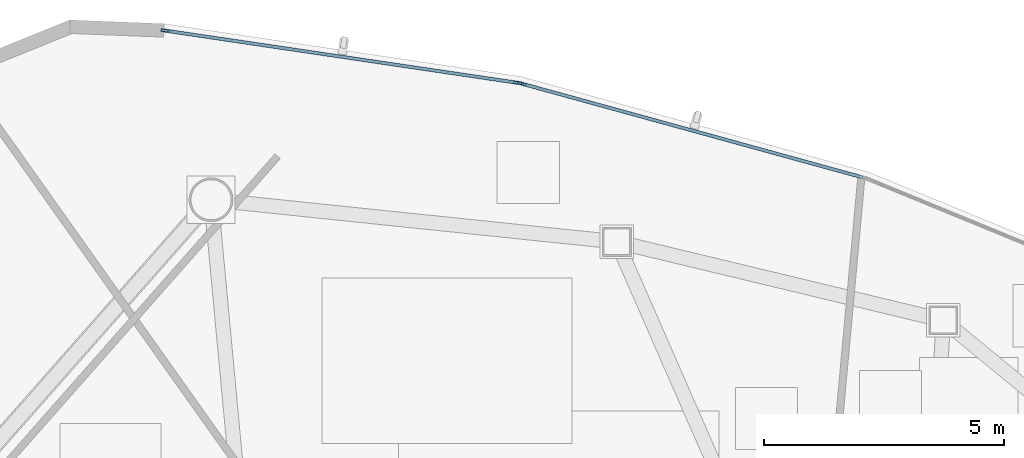
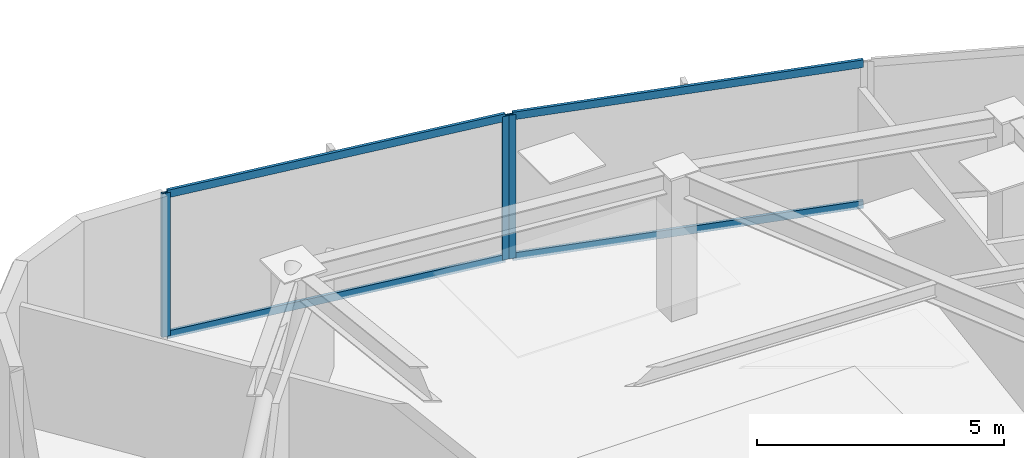
# One storey, part 9 of 18: 7 members, 2 elements without a shape of their own.
"""IFC4 building model written with IfcOpenShell, lengths in metres."""

from ifc_helpers import new_model, si_unit, direction, frame, origin, origin_2d, place, context, subcontext, project, spatial, hollow_rectangle, extrude, source, transform, mapped, material, layer, layer_set, material_profile, profile_set, type_object, type_shapes, element, aggregate, save


model = new_model("IFC4")

# Units and contexts
model_context = context("Model", 3, precision=1e-05, world=origin(), true_north=direction((0.0, 1.0)))
body_context = subcontext(model_context, "Body", "Model", "MODEL_VIEW")
ifc_project = project(units=[si_unit("LENGTHUNIT", "METRE"), si_unit("AREAUNIT", "SQUARE_METRE"), si_unit("VOLUMEUNIT", "CUBIC_METRE"), si_unit("PLANEANGLEUNIT", "RADIAN"), si_unit("MASSUNIT", "GRAM", prefix="KILO")], contexts=[model_context])

# Site, building, storey
site_placement = place(None, origin())
site = spatial("IfcSite", under=ifc_project, at=site_placement, CompositionType="ELEMENT")
building_placement = place(site_placement, origin())
building = spatial("IfcBuilding", under=site, at=building_placement, Name="Tavelor Broadcast Tower", CompositionType="ELEMENT")
storey_placement = place(building_placement, frame((0.0, 0.0, 177.199951171875)))
storey = spatial("IfcBuildingStorey", under=building, at=storey_placement, Name="L42", CompositionType="ELEMENT", Elevation=177.199951171875)

# Curtain wall, member
ifc_material = material(Name="Architectural Anodized Aluminium", Category="aluminium")
ifc_layer = layer(ifc_material, 0.18994140625)
ifc_layer_set = layer_set([ifc_layer], Name="Architectural Anodized Aluminium")
curtain_wall_type = type_object("IfcCurtainWallType", Name="Tower Mid-Zone Acoustic Curtain Wall CW03", PredefinedType="NOTDEFINED", material=ifc_layer_set)
curtain_wall_1_placement = place(storey_placement, origin())
curtain_wall_1 = element("IfcCurtainWall", 1, at=curtain_wall_1_placement, inside=storey, type_object=curtain_wall_type, Name="L42 Curtain Wall CW03 Run 455", PredefinedType="NOTDEFINED")
ifc_material_profile_1 = material_profile(ifc_material, hollow_rectangle(XDim=0.068115234375, YDim=0.18994140625, WallThickness=0.02197265625, at=origin_2d()), Name="RHS 68x190x22")
ifc_profile_set_1 = profile_set([ifc_material_profile_1], Name="Architectural Anodized Aluminium")
member_type_1 = type_object("IfcMemberType", Name="CW03 Extruded Aluminium Mullion 68x190", PredefinedType="MULLION", material=ifc_profile_set_1)
shared_shape_1 = source(origin(), body_context, "Body", "SweptSolid", [
    extrude(hollow_rectangle(XDim=0.068115234375, YDim=0.18994140625, WallThickness=0.02197265625, at=origin_2d()), origin(), (0.0, 0.0, 1.0), 3.550048828125),
])
type_shapes(member_type_1, [shared_shape_1])
member_1_placement = place(storey_placement, frame((48.495361328125, 68.49853515625, 0.0), z_axis=(0.0, 0.0, 1.0), x_axis=(-0.265128496952, -0.964213088536, 0.0)))
member_1 = element("IfcMember", 2, at=member_1_placement, type_object=member_type_1, Name="CW03 mullion 2", PredefinedType="MULLION", context=body_context, shape_type="MappedRepresentation", body=[
    mapped(shared_shape_1, transform((0.0, 0.0, 0.0), scale=1.0)),
])

# Curtain wall, members
curtain_wall_2_placement = place(storey_placement, origin())
curtain_wall_2 = element("IfcCurtainWall", 3, at=curtain_wall_2_placement, inside=storey, type_object=curtain_wall_type, Name="L42 Curtain Wall CW03 Run 456", PredefinedType="NOTDEFINED")
member_2_placement = place(storey_placement, frame((48.399658203125, 68.518798828125, 0.0), z_axis=(0.0, 0.0, 1.0), x_axis=(-0.146495921602, -0.989211274174, 0.0)))
member_2 = element("IfcMember", 4, at=member_2_placement, type_object=member_type_1, Name="CW03 mullion 1", PredefinedType="MULLION", context=body_context, shape_type="MappedRepresentation", body=[
    mapped(shared_shape_1, transform((0.0, 0.0, 0.0), scale=1.0)),
])
member_3_placement = place(storey_placement, frame((41.0576171875, 69.606201171875, 0.0), z_axis=(0.0, 0.0, 1.0), x_axis=(-0.146495921602, -0.989211274174, 0.0)))
member_3 = element("IfcMember", 5, at=member_3_placement, type_object=member_type_1, Name="CW03 mullion 2", PredefinedType="MULLION", context=body_context, shape_type="MappedRepresentation", body=[
    mapped(shared_shape_1, transform((0.0, 0.0, 0.0), scale=1.0)),
])
ifc_material_profile_2 = material_profile(ifc_material, hollow_rectangle(XDim=0.068115234375, YDim=0.18994140625, WallThickness=0.02197265625, at=origin_2d()), Name="RHS 68x190x22")
ifc_profile_set_2 = profile_set([ifc_material_profile_2], Name="Architectural Anodized Aluminium")
member_type_2 = type_object("IfcMemberType", Name="CW03 Extruded Aluminium Transom 68x190", PredefinedType="USERDEFINED", material=ifc_profile_set_2)
shared_shape_2 = source(origin(), body_context, "Body", "SweptSolid", [
    extrude(hollow_rectangle(XDim=0.068115234375, YDim=0.18994140625, WallThickness=0.02197265625, at=origin_2d()), origin(), (0.0, 0.0, 1.0), 7.3544921875),
])
member_4_placement = place(storey_placement, frame((48.3662109375, 68.523681640625, 0.033935546875), z_axis=(-0.989211481414, 0.146494522215, 0.0), x_axis=(-0.146494522215, -0.989211481414, 0.0)))
member_4 = element("IfcMember", 6, at=member_4_placement, type_object=member_type_2, Name="CW03 transom 1.1", ObjectType="TRANSOM", PredefinedType="USERDEFINED", context=body_context, shape_type="MappedRepresentation", body=[
    mapped(shared_shape_2, transform((0.0, 0.0, 0.0), scale=1.0)),
])
member_5_placement = place(storey_placement, frame((48.3662109375, 68.523681640625, 3.51611328125), z_axis=(-0.989211481414, 0.146494522215, 0.0), x_axis=(-0.146494522215, -0.989211481414, 0.0)))
member_5 = element("IfcMember", 7, at=member_5_placement, type_object=member_type_2, Name="CW03 transom 1.2", ObjectType="TRANSOM", PredefinedType="USERDEFINED", context=body_context, shape_type="MappedRepresentation", body=[
    mapped(shared_shape_2, transform((0.0, 0.0, 0.0), scale=1.0)),
])
aggregate(curtain_wall_2, [member_2, member_3, member_4, member_5])

# Member
shared_shape_3 = source(origin(), body_context, "Body", "SweptSolid", [
    extrude(hollow_rectangle(XDim=0.068115234375, YDim=0.18994140625, WallThickness=0.02197265625, at=origin_2d()), origin(), (0.0, 0.0, 1.0), 7.338623046875),
])
type_shapes(member_type_2, [shared_shape_2, shared_shape_3])
member_6_placement = place(storey_placement, frame((55.604248046875, 66.5439453125, 0.033935546875), z_axis=(-0.964216661805, 0.265115501429, 0.0), x_axis=(-0.265115501429, -0.964216661805, 0.0)))
member_6 = element("IfcMember", 8, at=member_6_placement, type_object=member_type_2, Name="CW03 transom 1.1", ObjectType="TRANSOM", PredefinedType="USERDEFINED", context=body_context, shape_type="MappedRepresentation", body=[
    mapped(shared_shape_3, transform((0.0, 0.0, 0.0), scale=1.0)),
])

member_7_placement = place(storey_placement, frame((55.604248046875, 66.5439453125, 3.51611328125), z_axis=(-0.964216661805, 0.265115501429, 0.0), x_axis=(-0.265115501429, -0.964216661805, 0.0)))
member_7 = element("IfcMember", 9, at=member_7_placement, type_object=member_type_2, Name="CW03 transom 1.2", ObjectType="TRANSOM", PredefinedType="USERDEFINED", context=body_context, shape_type="MappedRepresentation", body=[
    mapped(shared_shape_3, transform((0.0, 0.0, 0.0), scale=1.0)),
])

aggregate(curtain_wall_1, [member_1, member_6, member_7])

save(model, "model.ifc")
